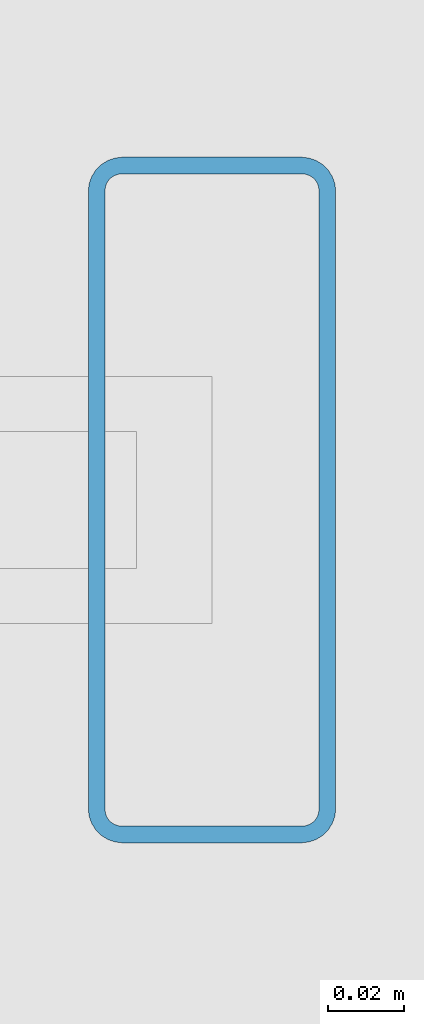
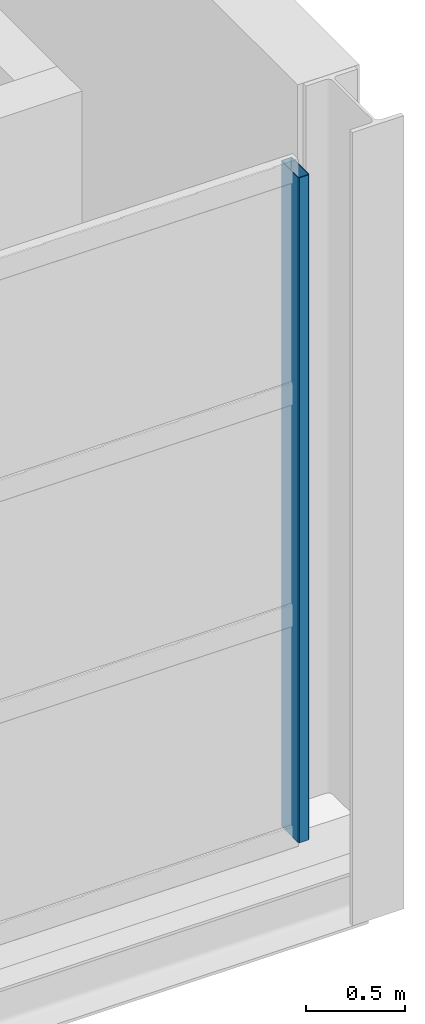
# One storey, part 109 of 153: 1 member, 1 element without a shape of its own.
"""IFC4 building model written with IfcOpenShell, lengths in metres."""

from ifc_helpers import new_model, si_unit, derived_unit, direction, frame, origin, origin_2d, place, context, subcontext, project, spatial, hollow_rectangle, extrude, material, material_profile, profile_set, type_object, element, aggregate, save


model = new_model("IFC4")

# Units and contexts
model_context = context("Model", 3, precision=1e-05, world=origin(), true_north=direction((0.0, 1.0)))
body_context = subcontext(model_context, "Body", "Model", "MODEL_VIEW")
ifc_project = project(units=[si_unit("LENGTHUNIT", "METRE"), si_unit("AREAUNIT", "SQUARE_METRE"), si_unit("VOLUMEUNIT", "CUBIC_METRE"), si_unit("PLANEANGLEUNIT", "RADIAN"), si_unit("MASSUNIT", "GRAM", prefix="KILO"), derived_unit("THERMALTRANSMITTANCEUNIT", [(si_unit("POWERUNIT", "WATT"), 1), (si_unit("LENGTHUNIT", "METRE"), -2), (si_unit("THERMODYNAMICTEMPERATUREUNIT", "KELVIN"), -1)])], contexts=[model_context])

# Site, building, storey
site_placement = place(None, origin())
site = spatial("IfcSite", under=ifc_project, at=site_placement, CompositionType="ELEMENT")
building_placement = place(site_placement, origin())
building = spatial("IfcBuilding", under=site, at=building_placement, Name="Keldorne Ridge Multi-Sports Centre", CompositionType="ELEMENT")
storey_placement = place(building_placement, frame((0.0, 0.0, 9.60009765625)))
storey = spatial("IfcBuildingStorey", under=building, at=storey_placement, Name="L02", CompositionType="ELEMENT", Elevation=9.60009765625)

# Curtain wall, member
ifc_material = material(Name="Anodized aluminium", Category="aluminium")
curtain_wall_type = type_object("IfcCurtainWallType", Name="CW-CW-05", PredefinedType="NOTDEFINED", material=ifc_material)
curtain_wall_placement = place(storey_placement, origin())
curtain_wall = element("IfcCurtainWall", 1, at=curtain_wall_placement, inside=storey, type_object=curtain_wall_type, Name="Upper Courts south curtain wall 133", PredefinedType="NOTDEFINED")
ifc_material_profile = material_profile(ifc_material, hollow_rectangle(XDim=0.06494140625, YDim=0.179931640625, WallThickness=0.00439453125, InnerFilletRadius=0.00439453125, OuterFilletRadius=0.009033203125, at=origin_2d()), Name="ALU MULLION 180x65x4.5")
ifc_profile_set = profile_set([ifc_material_profile], Name="Anodized aluminium")
member_type = type_object("IfcMemberType", Name="MEM-ML-01", PredefinedType="MULLION", material=ifc_profile_set)
member_placement = place(storey_placement, frame((167.659912109375, 6.0, 0.0), z_axis=(0.0, 0.0, 1.0), x_axis=(1.0, 0.0, 0.0)))
member = element("IfcMember", 2, at=member_placement, type_object=member_type, Name="CW-133 vertical mullion 5", PredefinedType="MULLION", context=body_context, shape_type="SweptSolid", body=[
    extrude(hollow_rectangle(XDim=0.06494140625, YDim=0.179931640625, WallThickness=0.00439453125, InnerFilletRadius=0.00439453125, OuterFilletRadius=0.009033203125, at=origin_2d()), origin(), (0.0, 0.0, 1.0), 4.099853515625),
])
aggregate(curtain_wall, [member])

save(model, "model.ifc")
